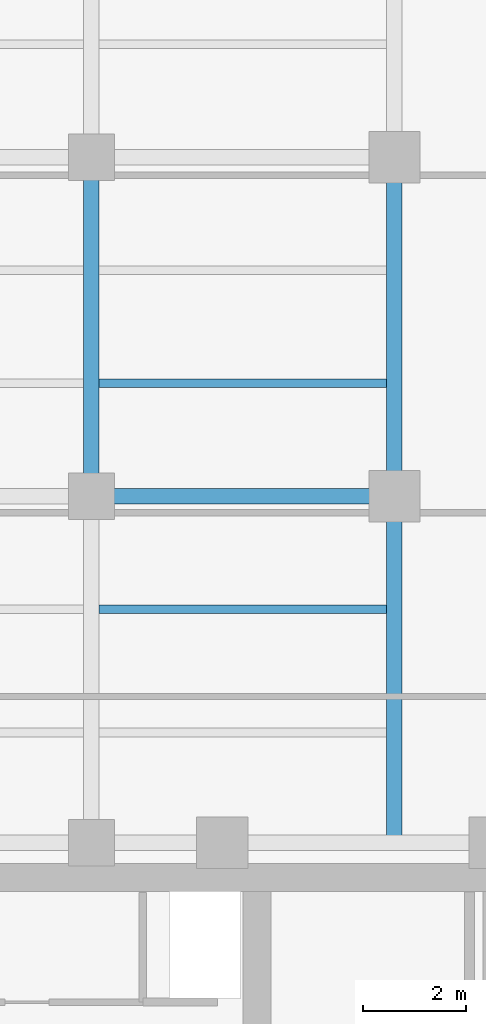
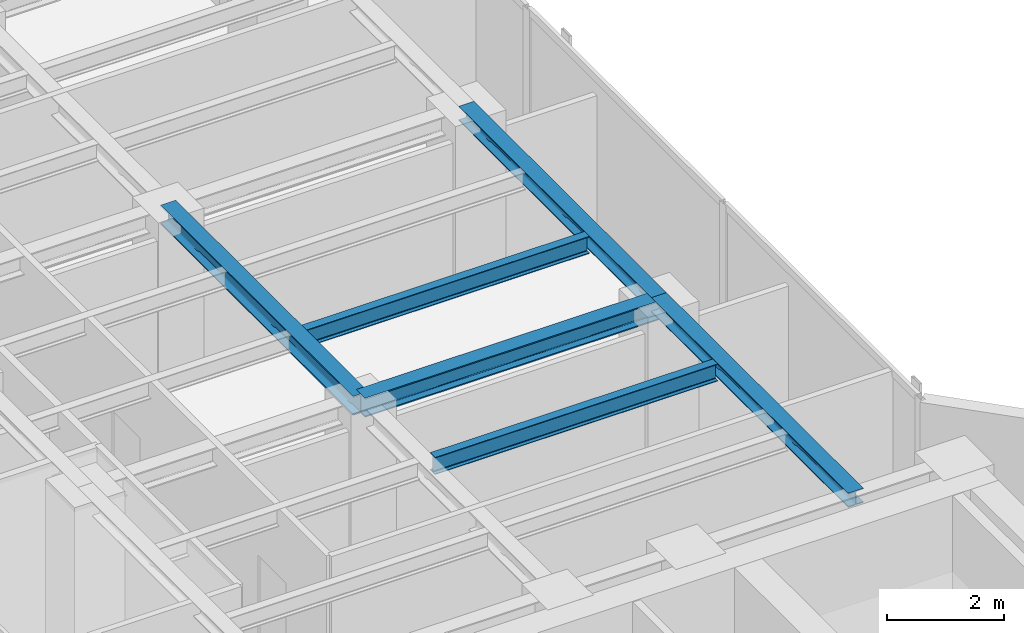
# One storey, part 9 of 23: 6 beams.
"""IFC4 building model written with IfcOpenShell, lengths in metres."""

from ifc_helpers import new_model, si_unit, direction, frame, origin, origin_2d, place, context, subcontext, project, spatial, i_section, extrude, material, material_profile, profile_set, type_object, element, save


model = new_model("IFC4")

# Units and contexts
model_context = context("Model", 3, precision=1e-05, world=origin(), true_north=direction((0.0, 1.0)))
body_context = subcontext(model_context, "Body", "Model", "MODEL_VIEW")
ifc_project = project(units=[si_unit("LENGTHUNIT", "METRE"), si_unit("AREAUNIT", "SQUARE_METRE"), si_unit("VOLUMEUNIT", "CUBIC_METRE"), si_unit("PLANEANGLEUNIT", "RADIAN"), si_unit("MASSUNIT", "GRAM", prefix="KILO")], contexts=[model_context])

# Site, building, storey
site_placement = place(None, origin())
site = spatial("IfcSite", under=ifc_project, at=site_placement, CompositionType="ELEMENT")
building_placement = place(site_placement, origin())
building = spatial("IfcBuilding", under=site, at=building_placement, Name="Kolvaren Waterfront Exchange", CompositionType="ELEMENT")
storey_placement = place(building_placement, frame((0.0, 0.0, 231.10009765625)))
storey = spatial("IfcBuildingStorey", under=building, at=storey_placement, Name="L59", CompositionType="ELEMENT", Elevation=231.10009765625)

# Beams
ifc_material = material(Name="Steel S355", Category="steel")
ifc_material_profile_1 = material_profile(ifc_material, i_section(OverallWidth=0.300048828125, OverallDepth=0.300048828125, WebThickness=0.010986328125, FlangeThickness=0.01904296875, FilletRadius=0.027099609375, at=origin_2d()), Name="HEB300")
ifc_profile_set_1 = profile_set([ifc_material_profile_1], Name="Steel S355")
beam_type_1 = type_object("IfcBeamType", Name="STR-BM-HEB300", PredefinedType="SPANDREL", material=ifc_profile_set_1)
beam_1_placement = place(storey_placement, frame((18.800048828125, 24.449951171875, 3.409912109375), z_axis=(0.0, 1.0, 0.0), x_axis=(-1.0, 0.0, 0.0)))
element("IfcBeam", 1, at=beam_1_placement, inside=storey, type_object=beam_type_1, Name="L59 north-arm edge beam 1", PredefinedType="SPANDREL", context=body_context, shape_type="SweptSolid", body=[
    extrude(i_section(OverallWidth=0.300048828125, OverallDepth=0.300048828125, WebThickness=0.010986328125, FlangeThickness=0.01904296875, FilletRadius=0.027099609375, at=origin_2d()), origin(), (0.0, 0.0, 1.0), 6.75),
])
beam_2_placement = place(storey_placement, frame((18.800048828125, 31.199951171875, 3.409912109375), z_axis=(0.0, 1.0, 0.0), x_axis=(-1.0, 0.0, 0.0)))
element("IfcBeam", 2, at=beam_2_placement, inside=storey, type_object=beam_type_1, Name="L59 north-arm edge beam 2", PredefinedType="SPANDREL", context=body_context, shape_type="SweptSolid", body=[
    extrude(i_section(OverallWidth=0.300048828125, OverallDepth=0.300048828125, WebThickness=0.010986328125, FlangeThickness=0.01904296875, FilletRadius=0.027099609375, at=origin_2d()), origin(), (0.0, 0.0, 1.0), 6.60009765625),
])
ifc_material_profile_2 = material_profile(ifc_material, i_section(OverallWidth=0.300048828125, OverallDepth=0.39990234375, WebThickness=0.013427734375, FlangeThickness=0.02392578125, FilletRadius=0.027099609375, at=origin_2d()), Name="HEB400")
ifc_profile_set_2 = profile_set([ifc_material_profile_2], Name="Steel S355")
beam_type_2 = type_object("IfcBeamType", Name="STR-BM-HEB400", PredefinedType="BEAM", material=ifc_profile_set_2)
beam_3_placement = place(storey_placement, frame((12.89990234375, 31.199951171875, 3.35986328125), z_axis=(1.0, 0.0, 0.0), x_axis=(0.0, 1.0, 0.0)))
element("IfcBeam", 3, at=beam_3_placement, inside=storey, type_object=beam_type_2, Name="L59 north-arm girder 2B", PredefinedType="BEAM", context=body_context, shape_type="SweptSolid", body=[
    extrude(i_section(OverallWidth=0.300048828125, OverallDepth=0.39990234375, WebThickness=0.013427734375, FlangeThickness=0.02392578125, FilletRadius=0.027099609375, at=origin_2d()), origin(), (0.0, 0.0, 1.0), 5.900146484375),
])
beam_4_placement = place(storey_placement, frame((12.89990234375, 31.199951171875, 3.35986328125), z_axis=(0.0, 1.0, 0.0), x_axis=(-1.0, 0.0, 0.0)))
element("IfcBeam", 4, at=beam_4_placement, inside=storey, type_object=beam_type_2, Name="L59 north-arm edge beam 2", PredefinedType="BEAM", context=body_context, shape_type="SweptSolid", body=[
    extrude(i_section(OverallWidth=0.300048828125, OverallDepth=0.39990234375, WebThickness=0.013427734375, FlangeThickness=0.02392578125, FilletRadius=0.027099609375, at=origin_2d()), origin(), (0.0, 0.0, 1.0), 6.60009765625),
])
ifc_material_profile_3 = material_profile(ifc_material, i_section(OverallWidth=0.169921875, OverallDepth=0.360107421875, WebThickness=0.008056640625, FlangeThickness=0.0126953125, FilletRadius=0.01806640625, at=origin_2d()), Name="IPE360")
ifc_profile_set_3 = profile_set([ifc_material_profile_3], Name="Steel S355")
beam_type_3 = type_object("IfcBeamType", Name="STR-BM-IPE360", PredefinedType="JOIST", material=ifc_profile_set_3)
for number, where, z_axis, x_axis, name in (
    (5, (13.052001953125, 29.0, 3.3798828125), (1.0, 0.0, 0.0), (0.0, 1.0, 0.0), "L59 north-arm composite joist 2B"),
    (6, (13.052001953125, 33.39990234375, 3.3798828125), (1.0, 0.0, 0.0), (0.0, 1.0, 0.0), "L59 north-arm composite joist 3B"),
):
    element("IfcBeam", number, at=place(storey_placement, frame(where, z_axis=z_axis, x_axis=x_axis)), inside=storey, type_object=beam_type_3, Name=name, PredefinedType="JOIST", context=body_context, shape_type="SweptSolid", body=[
        extrude(i_section(OverallWidth=0.169921875, OverallDepth=0.360107421875, WebThickness=0.008056640625, FlangeThickness=0.0126953125, FilletRadius=0.01806640625, at=origin_2d()), origin(), (0.0, 0.0, 1.0), 5.595947265625),
    ])

save(model, "model.ifc")
